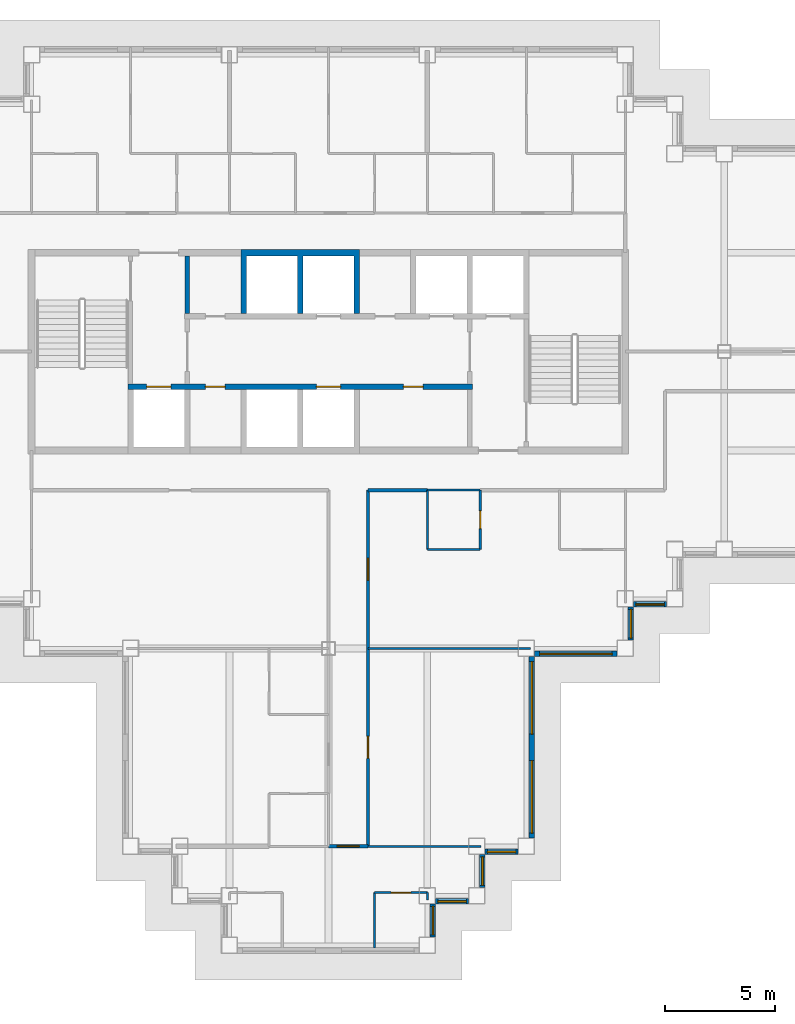
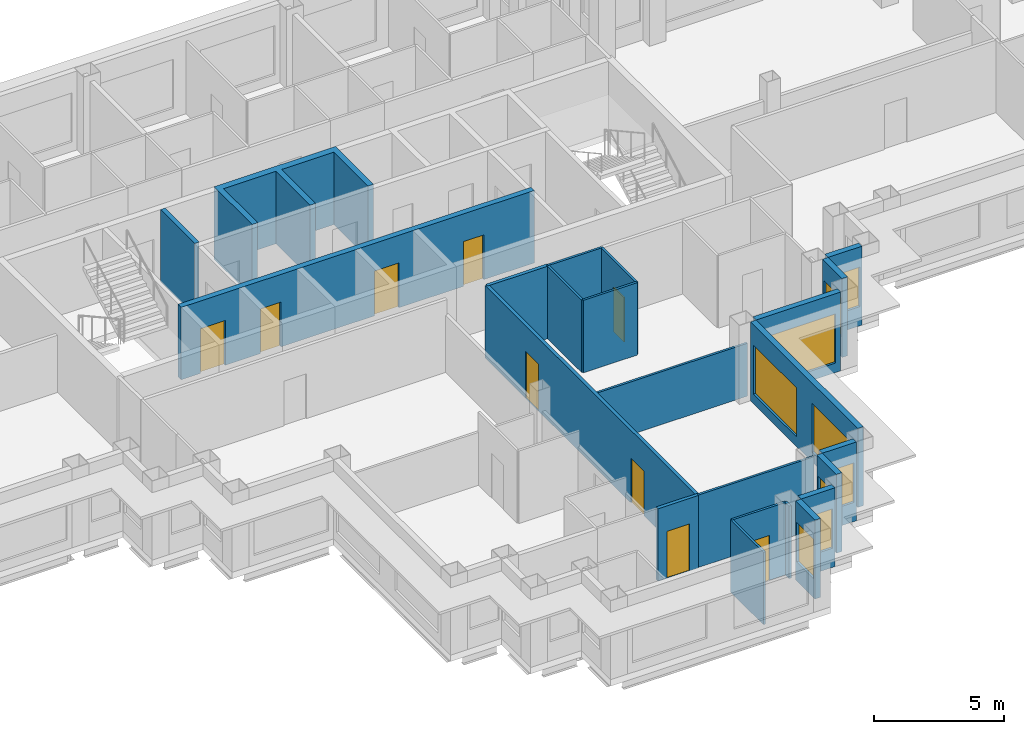
# One storey, part 5 of 13: 23 walls, 9 doors, 9 windows, 18 openings.
"""IFC4 building model written with IfcOpenShell, lengths in metres."""

from ifc_helpers import new_model, si_unit, direction, frame, frame_2d, origin, place, context, subcontext, project, spatial, polyline, rectangle, outline, extrude, material, layer, layer_set, type_object, element, fill, save


model = new_model("IFC4")

# Units and contexts
model_context = context("Model", 3, precision=1e-05, world=origin(), true_north=direction((0.0, 1.0)))
body_context = subcontext(model_context, "Body", "Model", "MODEL_VIEW")
ifc_project = project(units=[si_unit("LENGTHUNIT", "METRE"), si_unit("AREAUNIT", "SQUARE_METRE"), si_unit("VOLUMEUNIT", "CUBIC_METRE"), si_unit("PLANEANGLEUNIT", "RADIAN"), si_unit("MASSUNIT", "GRAM", prefix="KILO")], contexts=[model_context])

# Site, building, storey
site_placement = place(None, origin())
site = spatial("IfcSite", under=ifc_project, at=site_placement, CompositionType="ELEMENT")
building_placement = place(site_placement, origin())
building = spatial("IfcBuilding", under=site, at=building_placement, Name="Caravel Reach Hotel and Residences", CompositionType="ELEMENT")
storey_placement = place(building_placement, frame((0.0, 0.0, 169.10009765625)))
storey = spatial("IfcBuildingStorey", under=building, at=storey_placement, Name="L42", CompositionType="ELEMENT", Elevation=169.10009765625)

# Walls
ifc_material_1 = material(Name="Gypsum board on steel stud", Category="steel")
ifc_layer_1 = layer(ifc_material_1, 0.10009765625)
ifc_layer_set_1 = layer_set([ifc_layer_1], Name="Bathroom pod wall 100 mm")
wall_type_1 = type_object("IfcWallType", Name="Bathroom pod wall 100 mm", PredefinedType="PARTITIONING", material=ifc_layer_set_1)
for number, where, z_axis, x_axis, name in (
    (1, (36.0, 18.0, 0.0), (0.0, 0.0, 1.0), (1.0, 0.0, 0.0), "L42 wall w078"),
    (2, (36.0, 20.699951171875, 0.0), (0.0, 0.0, 1.0), (1.0, 0.0, 0.0), "L42 wall w080"),
):
    element("IfcWall", number, at=place(storey_placement, frame(where, z_axis=z_axis, x_axis=x_axis)), inside=storey, type_object=wall_type_1, Name=name, PredefinedType="PARTITIONING", context=body_context, shape_type="SweptSolid", body=[
        extrude(rectangle(XDim=2.39990234375, YDim=0.10009765625, at=frame_2d((1.199951171875, 0.0))), origin(), (0.0, 0.0, 1.0), 3.39990234375),
    ])
wall_1_placement = place(storey_placement, frame((36.0, 18.0, 0.0), z_axis=(0.0, 0.0, 1.0), x_axis=(0.0, 1.0, 0.0)))
element("IfcWall", 3, at=wall_1_placement, inside=storey, type_object=wall_type_1, Name="L42 wall w100", PredefinedType="PARTITIONING", context=body_context, shape_type="SweptSolid", body=[
    extrude(rectangle(XDim=2.698974609375, YDim=0.10009765625, at=frame_2d((1.349609375, 0.0))), origin(), (0.0, 0.0, 1.0), 3.39990234375),
])

# Wall, opening, door
wall_2_placement = place(storey_placement, frame((38.39990234375, 18.0, 0.0), z_axis=(0.0, 0.0, 1.0), x_axis=(0.0, 1.0, 0.0)))
wall_2 = element("IfcWall", 4, at=wall_2_placement, inside=storey, type_object=wall_type_1, Name="L42 wall w101", PredefinedType="PARTITIONING", context=body_context, shape_type="SweptSolid", body=[
    extrude(rectangle(XDim=2.699951171875, YDim=0.10009765625, at=frame_2d((1.35009765625, 0.0))), origin(), (0.0, 0.0, 1.0), 3.39990234375),
])
opening_1_placement = place(wall_2_placement, frame((0.949951171875, 0.0, 0.0)))
opening_1 = element("IfcOpeningElement", 5, at=opening_1_placement, cuts=wall_2, Name="Opening D42-034", PredefinedType="OPENING", context=body_context, shape_type="SweptSolid", body=[
    extrude(rectangle(XDim=0.800048828125, YDim=2.10009765625, at=frame_2d((0.39990234375, 1.050048828125))), frame((0.0, 0.06005859375, 0.0), z_axis=(0.0, -1.0, 0.0), x_axis=(1.0, 0.0, 0.0)), (0.0, 0.0, 1.0), 0.1201171875),
])
ifc_material_2 = material(Name="Timber and steel door leaf", Category="steel")
door_type_1 = type_object("IfcDoorType", Name="Bathroom door 800 x 2100", OperationType="SINGLE_SWING_LEFT", PredefinedType="DOOR", material=ifc_material_2)
door_1_placement = place(opening_1_placement, origin())
door_1 = element("IfcDoor", 6, at=door_1_placement, inside=storey, type_object=door_type_1, Name="door D42-034", OperationType="SINGLE_SWING_RIGHT", OverallHeight=2.10009765625, OverallWidth=0.800048828125, PredefinedType="DOOR", context=body_context, shape_type="SweptSolid", body=[
    extrude(rectangle(XDim=0.800048828125, YDim=2.10009765625, at=frame_2d((0.39990234375, 1.050048828125))), frame((0.0, 0.02490234375, 0.0), z_axis=(0.0, -1.0, 0.0), x_axis=(1.0, 0.0, 0.0)), (0.0, 0.0, 1.0), 0.050048828125),
])
fill(opening_1, door_1)

# Walls
ifc_material_3 = material(Name="Autoclaved aerated block wall")
ifc_layer_2 = layer(ifc_material_3, 0.199951171875)
ifc_layer_set_2 = layer_set([ifc_layer_2], Name="Compartment wall 200 mm EI 120")
wall_type_2 = type_object("IfcWallType", Name="Compartment wall 200 mm EI 120", PredefinedType="PARTITIONING", material=ifc_layer_set_2)
wall_3_placement = place(storey_placement, frame((25.071533203125, 28.72509765625, 0.0), z_axis=(0.0, 0.0, 1.0), x_axis=(0.0, 1.0, 0.0)))
element("IfcWall", 7, at=wall_3_placement, inside=storey, type_object=wall_type_2, Name="L42 store partition", PredefinedType="PARTITIONING", context=body_context, shape_type="SweptSolid", body=[
    extrude(rectangle(XDim=2.625, YDim=0.199951171875, at=frame_2d((1.3125, 0.0))), origin(), (0.0, 0.0, 1.0), 3.39990234375),
])
ifc_material_4 = material(Name="Gypsum board on steel stud, fire-rated", Category="steel")
ifc_layer_3 = layer(ifc_material_4, 0.14990234375)
ifc_layer_set_3 = layer_set([ifc_layer_3], Name="Corridor wall 150 mm EI 60")
wall_type_3 = type_object("IfcWallType", Name="Corridor wall 150 mm EI 60", PredefinedType="PARTITIONING", material=ifc_layer_set_3)
wall_4_placement = place(storey_placement, frame((33.301025390625, 20.699951171875, 0.0), z_axis=(0.0, 0.0, 1.0), x_axis=(1.0, 0.0, 0.0)))
element("IfcWall", 8, at=wall_4_placement, inside=storey, type_object=wall_type_3, Name="L42 wall w002", PredefinedType="PARTITIONING", context=body_context, shape_type="SweptSolid", body=[
    extrude(rectangle(XDim=2.697998046875, YDim=0.14990234375, at=frame_2d((1.34912109375, 0.0))), origin(), (0.0, 0.0, 1.0), 3.39990234375),
])

# Wall, opening, door
wall_5_placement = place(storey_placement, frame((31.5, 4.5, 0.0), z_axis=(0.0, 0.0, 1.0), x_axis=(1.0, 0.0, 0.0)))
wall_5 = element("IfcWall", 9, at=wall_5_placement, inside=storey, type_object=wall_type_3, Name="L42 wall w019", PredefinedType="PARTITIONING", context=body_context, shape_type="SweptSolid", body=[
    extrude(rectangle(XDim=1.800048828125, YDim=0.14990234375, at=frame_2d((0.89990234375, 0.0))), origin(), (0.0, 0.0, 1.0), 3.39990234375),
])
opening_2_placement = place(wall_5_placement, frame((0.39990234375, 0.0, 0.0)))
opening_2 = element("IfcOpeningElement", 10, at=opening_2_placement, cuts=wall_5, Name="Opening D42-046", PredefinedType="OPENING", context=body_context, shape_type="SweptSolid", body=[
    extrude(rectangle(XDim=1.0, YDim=2.199951171875, at=frame_2d((0.5, 1.10009765625))), frame((0.0, 0.0849609375, 0.0), z_axis=(0.0, -1.0, 0.0), x_axis=(1.0, 0.0, 0.0)), (0.0, 0.0, 1.0), 0.169921875),
])
ifc_material_5 = material(Name="Steel fire door leaf", Category="steel")
door_type_2 = type_object("IfcDoorType", Name="Flat entrance door 1000 x 2200 EI 60", OperationType="SINGLE_SWING_LEFT", PredefinedType="DOOR", material=ifc_material_5)
door_2_placement = place(opening_2_placement, origin())
door_2 = element("IfcDoor", 11, at=door_2_placement, inside=storey, type_object=door_type_2, Name="door D42-046", OperationType="SINGLE_SWING_RIGHT", OverallHeight=2.199951171875, OverallWidth=1.0, PredefinedType="DOOR", context=body_context, shape_type="SweptSolid", body=[
    extrude(rectangle(XDim=1.0, YDim=2.199951171875, at=frame_2d((0.5, 1.10009765625))), frame((0.0, 0.02490234375, 0.0), z_axis=(0.0, -1.0, 0.0), x_axis=(1.0, 0.0, 0.0)), (0.0, 0.0, 1.0), 0.050048828125),
])
fill(opening_2, door_2)

# Wall, openings, doors
wall_6_placement = place(storey_placement, frame((33.300048828125, 4.5, 0.0), z_axis=(0.0, 0.0, 1.0), x_axis=(0.0, 1.0, 0.0)))
wall_6 = element("IfcWall", 12, at=wall_6_placement, inside=storey, type_object=wall_type_3, Name="L42 wall w025", PredefinedType="PARTITIONING", context=body_context, shape_type="SweptSolid", body=[
    extrude(rectangle(XDim=16.198974609375, YDim=0.14990234375, at=frame_2d((8.099609375, 0.0))), origin(), (0.0, 0.0, 1.0), 3.39990234375),
])
opening_3_placement = place(wall_6_placement, frame((12.09912109375, 0.0, 0.0)))
opening_3 = element("IfcOpeningElement", 13, at=opening_3_placement, cuts=wall_6, Name="Opening D42-033", PredefinedType="OPENING", context=body_context, shape_type="SweptSolid", body=[
    extrude(rectangle(XDim=1.0, YDim=2.199951171875, at=frame_2d((0.5, 1.10009765625))), frame((0.0, 0.0849609375, 0.0), z_axis=(0.0, -1.0, 0.0), x_axis=(1.0, 0.0, 0.0)), (0.0, 0.0, 1.0), 0.169921875),
])
opening_4_placement = place(wall_6_placement, frame((4.0, 0.0, 0.0)))
opening_4 = element("IfcOpeningElement", 14, at=opening_4_placement, cuts=wall_6, Name="Opening D42-039", PredefinedType="OPENING", context=body_context, shape_type="SweptSolid", body=[
    extrude(rectangle(XDim=1.0, YDim=2.10009765625, at=frame_2d((0.5, 1.050048828125))), frame((0.0, 0.0849609375, 0.0), z_axis=(0.0, -1.0, 0.0), x_axis=(1.0, 0.0, 0.0)), (0.0, 0.0, 1.0), 0.169921875),
])
ifc_material_6 = material(Name="Steel fire door leaf", Category="steel")
door_type_3 = type_object("IfcDoorType", Name="Fire door 1000 x 2100 EI 60", OperationType="SINGLE_SWING_LEFT", PredefinedType="DOOR", material=ifc_material_6)
door_3_placement = place(opening_4_placement, origin())
door_3 = element("IfcDoor", 15, at=door_3_placement, inside=storey, type_object=door_type_3, Name="door D42-039", OperationType="SINGLE_SWING_RIGHT", OverallHeight=2.10009765625, OverallWidth=1.0, PredefinedType="DOOR", context=body_context, shape_type="SweptSolid", body=[
    extrude(rectangle(XDim=1.0, YDim=2.10009765625, at=frame_2d((0.5, 1.050048828125))), frame((0.0, 0.02490234375, 0.0), z_axis=(0.0, -1.0, 0.0), x_axis=(1.0, 0.0, 0.0)), (0.0, 0.0, 1.0), 0.050048828125),
])
fill(opening_4, door_3)
door_4_placement = place(opening_3_placement, origin())
door_4 = element("IfcDoor", 16, at=door_4_placement, inside=storey, type_object=door_type_2, Name="door D42-033", OperationType="SINGLE_SWING_LEFT", OverallHeight=2.199951171875, OverallWidth=1.0, PredefinedType="DOOR", context=body_context, shape_type="SweptSolid", body=[
    extrude(rectangle(XDim=1.0, YDim=2.199951171875, at=frame_2d((0.5, 1.10009765625))), frame((0.0, 0.02490234375, 0.0), z_axis=(0.0, -1.0, 0.0), x_axis=(1.0, 0.0, 0.0)), (0.0, 0.0, 1.0), 0.050048828125),
])
fill(opening_3, door_4)

# Wall, opening, window
ifc_material_7 = material(Name="Insulated rainscreen wall, aluminium cladding", Category="aluminium")
ifc_layer_4 = layer(ifc_material_7, 0.25)
ifc_layer_set_4 = layer_set([ifc_layer_4], Name="EW1 Tower rainscreen wall")
wall_type_4 = type_object("IfcWallType", Name="EW1 Tower rainscreen wall", PredefinedType="SOLIDWALL", material=ifc_layer_set_4)
wall_7_placement = place(storey_placement, frame((36.25, 0.375, 0.0), z_axis=(0.0, 0.0, 1.0), x_axis=(0.0, 1.0, 0.0)))
wall_7 = element("IfcWall", 17, at=wall_7_placement, inside=storey, type_object=wall_type_4, Name="External wall L42 E6.1", PredefinedType="SOLIDWALL", context=body_context, shape_type="SweptSolid", body=[
    extrude(rectangle(XDim=1.5, YDim=0.25, at=frame_2d((0.75, 0.0))), origin(), (0.0, 0.0, 1.0), 3.699951171875),
])
opening_5_placement = place(wall_7_placement, frame((0.10009765625, 0.0, 0.89990234375)))
opening_5 = element("IfcOpeningElement", 18, at=opening_5_placement, cuts=wall_7, Name="Opening WN16", PredefinedType="OPENING", context=body_context, shape_type="SweptSolid", body=[
    extrude(rectangle(XDim=1.300048828125, YDim=1.85009765625, at=frame_2d((0.64990234375, 0.925048828125))), frame((0.0, 0.135009765625, 0.0), z_axis=(0.0, -1.0, 0.0), x_axis=(1.0, 0.0, 0.0)), (0.0, 0.0, 1.0), 0.27001953125),
])
ifc_material_8 = material(Name="Dark low-e glazing in black aluminium frame", Category="aluminium")
window_type_1 = type_object("IfcWindowType", Name="Residence bedroom window 1300 x 1850", PartitioningType="SINGLE_PANEL", PredefinedType="WINDOW", material=ifc_material_8)
window_1_placement = place(opening_5_placement, origin())
window_1 = element("IfcWindow", 19, at=window_1_placement, inside=storey, type_object=window_type_1, Name="Window L42 E6.1.1", OverallHeight=1.85009765625, OverallWidth=1.300048828125, PartitioningType="SINGLE_PANEL", PredefinedType="WINDOW", context=body_context, shape_type="SweptSolid", body=[
    extrude(rectangle(XDim=1.300048828125, YDim=1.85009765625, at=frame_2d((0.64990234375, 0.925048828125))), frame((0.0, 0.030029296875, 0.0), z_axis=(0.0, -1.0, 0.0), x_axis=(1.0, 0.0, 0.0)), (0.0, 0.0, 1.0), 0.06005859375),
])
fill(opening_5, window_1)

wall_8_placement = place(storey_placement, frame((36.375, 2.0, 0.0), z_axis=(0.0, 0.0, 1.0), x_axis=(1.0, 0.0, 0.0)))
wall_8 = element("IfcWall", 20, at=wall_8_placement, inside=storey, type_object=wall_type_4, Name="External wall L42 S7.1", PredefinedType="SOLIDWALL", context=body_context, shape_type="SweptSolid", body=[
    extrude(rectangle(XDim=1.5, YDim=0.25, at=frame_2d((0.75, 0.0))), origin(), (0.0, 0.0, 1.0), 3.699951171875),
])
opening_6_placement = place(wall_8_placement, frame((0.10009765625, 0.0, 0.89990234375)))
opening_6 = element("IfcOpeningElement", 21, at=opening_6_placement, cuts=wall_8, Name="Opening WN16", PredefinedType="OPENING", context=body_context, shape_type="SweptSolid", body=[
    extrude(rectangle(XDim=1.300048828125, YDim=1.85009765625, at=frame_2d((0.64990234375, 0.925048828125))), frame((0.0, 0.135009765625, 0.0), z_axis=(0.0, -1.0, 0.0), x_axis=(1.0, 0.0, 0.0)), (0.0, 0.0, 1.0), 0.27001953125),
])
window_2_placement = place(opening_6_placement, origin())
window_2 = element("IfcWindow", 22, at=window_2_placement, inside=storey, type_object=window_type_1, Name="Window L42 S7.1.1", OverallHeight=1.85009765625, OverallWidth=1.300048828125, PartitioningType="SINGLE_PANEL", PredefinedType="WINDOW", context=body_context, shape_type="SweptSolid", body=[
    extrude(rectangle(XDim=1.300048828125, YDim=1.85009765625, at=frame_2d((0.64990234375, 0.925048828125))), frame((0.0, 0.030029296875, 0.0), z_axis=(0.0, -1.0, 0.0), x_axis=(1.0, 0.0, 0.0)), (0.0, 0.0, 1.0), 0.06005859375),
])
fill(opening_6, window_2)

wall_9_placement = place(storey_placement, frame((38.5, 2.625, 0.0), z_axis=(0.0, 0.0, 1.0), x_axis=(0.0, 1.0, 0.0)))
wall_9 = element("IfcWall", 23, at=wall_9_placement, inside=storey, type_object=wall_type_4, Name="External wall L42 E8.1", PredefinedType="SOLIDWALL", context=body_context, shape_type="SweptSolid", body=[
    extrude(rectangle(XDim=1.5, YDim=0.25, at=frame_2d((0.75, 0.0))), origin(), (0.0, 0.0, 1.0), 3.699951171875),
])
opening_7_placement = place(wall_9_placement, frame((0.10009765625, 0.0, 0.89990234375)))
opening_7 = element("IfcOpeningElement", 24, at=opening_7_placement, cuts=wall_9, Name="Opening WN16", PredefinedType="OPENING", context=body_context, shape_type="SweptSolid", body=[
    extrude(rectangle(XDim=1.300048828125, YDim=1.85009765625, at=frame_2d((0.64990234375, 0.925048828125))), frame((0.0, 0.135009765625, 0.0), z_axis=(0.0, -1.0, 0.0), x_axis=(1.0, 0.0, 0.0)), (0.0, 0.0, 1.0), 0.27001953125),
])
window_3_placement = place(opening_7_placement, origin())
window_3 = element("IfcWindow", 25, at=window_3_placement, inside=storey, type_object=window_type_1, Name="Window L42 E8.1.1", OverallHeight=1.85009765625, OverallWidth=1.300048828125, PartitioningType="SINGLE_PANEL", PredefinedType="WINDOW", context=body_context, shape_type="SweptSolid", body=[
    extrude(rectangle(XDim=1.300048828125, YDim=1.85009765625, at=frame_2d((0.64990234375, 0.925048828125))), frame((0.0, 0.030029296875, 0.0), z_axis=(0.0, -1.0, 0.0), x_axis=(1.0, 0.0, 0.0)), (0.0, 0.0, 1.0), 0.06005859375),
])
fill(opening_7, window_3)

wall_10_placement = place(storey_placement, frame((38.625, 4.25, 0.0), z_axis=(0.0, 0.0, 1.0), x_axis=(1.0, 0.0, 0.0)))
wall_10 = element("IfcWall", 26, at=wall_10_placement, inside=storey, type_object=wall_type_4, Name="External wall L42 S9.1", PredefinedType="SOLIDWALL", context=body_context, shape_type="SweptSolid", body=[
    extrude(rectangle(XDim=1.5, YDim=0.25, at=frame_2d((0.75, 0.0))), origin(), (0.0, 0.0, 1.0), 3.699951171875),
])
opening_8_placement = place(wall_10_placement, frame((0.10009765625, 0.0, 0.89990234375)))
opening_8 = element("IfcOpeningElement", 27, at=opening_8_placement, cuts=wall_10, Name="Opening WN16", PredefinedType="OPENING", context=body_context, shape_type="SweptSolid", body=[
    extrude(rectangle(XDim=1.300048828125, YDim=1.85009765625, at=frame_2d((0.64990234375, 0.925048828125))), frame((0.0, 0.135009765625, 0.0), z_axis=(0.0, -1.0, 0.0), x_axis=(1.0, 0.0, 0.0)), (0.0, 0.0, 1.0), 0.27001953125),
])
window_4_placement = place(opening_8_placement, origin())
window_4 = element("IfcWindow", 28, at=window_4_placement, inside=storey, type_object=window_type_1, Name="Window L42 S9.1.1", OverallHeight=1.85009765625, OverallWidth=1.300048828125, PartitioningType="SINGLE_PANEL", PredefinedType="WINDOW", context=body_context, shape_type="SweptSolid", body=[
    extrude(rectangle(XDim=1.300048828125, YDim=1.85009765625, at=frame_2d((0.64990234375, 0.925048828125))), frame((0.0, 0.030029296875, 0.0), z_axis=(0.0, -1.0, 0.0), x_axis=(1.0, 0.0, 0.0)), (0.0, 0.0, 1.0), 0.06005859375),
])
fill(opening_8, window_4)

# Wall, openings, windows
wall_11_placement = place(storey_placement, frame((40.75, 4.875, 0.0), z_axis=(0.0, 0.0, 1.0), x_axis=(0.0, 1.0, 0.0)))
wall_11 = element("IfcWall", 29, at=wall_11_placement, inside=storey, type_object=wall_type_4, Name="External wall L42 E10.1", PredefinedType="SOLIDWALL", context=body_context, shape_type="SweptSolid", body=[
    extrude(rectangle(XDim=8.25, YDim=0.25, at=frame_2d((4.125, 0.0))), origin(), (0.0, 0.0, 1.0), 3.699951171875),
])
opening_9_placement = place(wall_11_placement, frame((0.22509765625, 0.0, 0.449951171875)))
opening_9 = element("IfcOpeningElement", 30, at=opening_9_placement, cuts=wall_11, Name="Opening WN15", PredefinedType="OPENING", context=body_context, shape_type="SweptSolid", body=[
    extrude(rectangle(XDim=3.300048828125, YDim=2.300048828125, at=frame_2d((1.64990234375, 1.14990234375))), frame((0.0, 0.135009765625, 0.0), z_axis=(0.0, -1.0, 0.0), x_axis=(1.0, 0.0, 0.0)), (0.0, 0.0, 1.0), 0.27001953125),
])
opening_10_placement = place(wall_11_placement, frame((4.72509765625, 0.0, 0.449951171875)))
opening_10 = element("IfcOpeningElement", 31, at=opening_10_placement, cuts=wall_11, Name="Opening WN15", PredefinedType="OPENING", context=body_context, shape_type="SweptSolid", body=[
    extrude(rectangle(XDim=3.300048828125, YDim=2.300048828125, at=frame_2d((1.64990234375, 1.14990234375))), frame((0.0, 0.135009765625, 0.0), z_axis=(0.0, -1.0, 0.0), x_axis=(1.0, 0.0, 0.0)), (0.0, 0.0, 1.0), 0.27001953125),
])
ifc_material_9 = material(Name="Dark low-e glazing in black aluminium frame", Category="aluminium")
window_type_2 = type_object("IfcWindowType", Name="Residence living window 3300 x 2300", PartitioningType="SINGLE_PANEL", PredefinedType="WINDOW", material=ifc_material_9)
window_5_placement = place(opening_9_placement, origin())
window_5 = element("IfcWindow", 32, at=window_5_placement, inside=storey, type_object=window_type_2, Name="Window L42 E10.1.1", OverallHeight=2.300048828125, OverallWidth=3.300048828125, PartitioningType="SINGLE_PANEL", PredefinedType="WINDOW", context=body_context, shape_type="SweptSolid", body=[
    extrude(rectangle(XDim=3.300048828125, YDim=2.300048828125, at=frame_2d((1.64990234375, 1.14990234375))), frame((0.0, 0.030029296875, 0.0), z_axis=(0.0, -1.0, 0.0), x_axis=(1.0, 0.0, 0.0)), (0.0, 0.0, 1.0), 0.06005859375),
])
fill(opening_9, window_5)
window_6_placement = place(opening_10_placement, origin())
window_6 = element("IfcWindow", 33, at=window_6_placement, inside=storey, type_object=window_type_2, Name="Window L42 E10.1.2", OverallHeight=2.300048828125, OverallWidth=3.300048828125, PartitioningType="SINGLE_PANEL", PredefinedType="WINDOW", context=body_context, shape_type="SweptSolid", body=[
    extrude(rectangle(XDim=3.300048828125, YDim=2.300048828125, at=frame_2d((1.64990234375, 1.14990234375))), frame((0.0, 0.030029296875, 0.0), z_axis=(0.0, -1.0, 0.0), x_axis=(1.0, 0.0, 0.0)), (0.0, 0.0, 1.0), 0.06005859375),
])
fill(opening_10, window_6)

# Wall, opening, window
wall_12_placement = place(storey_placement, frame((40.875, 13.25, 0.0), z_axis=(0.0, 0.0, 1.0), x_axis=(1.0, 0.0, 0.0)))
wall_12 = element("IfcWall", 34, at=wall_12_placement, inside=storey, type_object=wall_type_4, Name="External wall L42 S11.1", PredefinedType="SOLIDWALL", context=body_context, shape_type="SweptSolid", body=[
    extrude(rectangle(XDim=3.75, YDim=0.25, at=frame_2d((1.875, 0.0))), origin(), (0.0, 0.0, 1.0), 3.699951171875),
])
opening_11_placement = place(wall_12_placement, frame((0.22509765625, 0.0, 0.449951171875)))
opening_11 = element("IfcOpeningElement", 35, at=opening_11_placement, cuts=wall_12, Name="Opening WN15", PredefinedType="OPENING", context=body_context, shape_type="SweptSolid", body=[
    extrude(rectangle(XDim=3.300048828125, YDim=2.300048828125, at=frame_2d((1.64990234375, 1.14990234375))), frame((0.0, 0.135009765625, 0.0), z_axis=(0.0, -1.0, 0.0), x_axis=(1.0, 0.0, 0.0)), (0.0, 0.0, 1.0), 0.27001953125),
])
window_7_placement = place(opening_11_placement, origin())
window_7 = element("IfcWindow", 36, at=window_7_placement, inside=storey, type_object=window_type_2, Name="Window L42 S11.1.1", OverallHeight=2.300048828125, OverallWidth=3.300048828125, PartitioningType="SINGLE_PANEL", PredefinedType="WINDOW", context=body_context, shape_type="SweptSolid", body=[
    extrude(rectangle(XDim=3.300048828125, YDim=2.300048828125, at=frame_2d((1.64990234375, 1.14990234375))), frame((0.0, 0.030029296875, 0.0), z_axis=(0.0, -1.0, 0.0), x_axis=(1.0, 0.0, 0.0)), (0.0, 0.0, 1.0), 0.06005859375),
])
fill(opening_11, window_7)

wall_13_placement = place(storey_placement, frame((45.25, 13.875, 0.0), z_axis=(0.0, 0.0, 1.0), x_axis=(0.0, 1.0, 0.0)))
wall_13 = element("IfcWall", 37, at=wall_13_placement, inside=storey, type_object=wall_type_4, Name="External wall L42 E12.1", PredefinedType="SOLIDWALL", context=body_context, shape_type="SweptSolid", body=[
    extrude(rectangle(XDim=1.5, YDim=0.25, at=frame_2d((0.75, 0.0))), origin(), (0.0, 0.0, 1.0), 3.699951171875),
])
opening_12_placement = place(wall_13_placement, frame((0.10009765625, 0.0, 0.89990234375)))
opening_12 = element("IfcOpeningElement", 38, at=opening_12_placement, cuts=wall_13, Name="Opening WN16", PredefinedType="OPENING", context=body_context, shape_type="SweptSolid", body=[
    extrude(rectangle(XDim=1.300048828125, YDim=1.85009765625, at=frame_2d((0.64990234375, 0.925048828125))), frame((0.0, 0.135009765625, 0.0), z_axis=(0.0, -1.0, 0.0), x_axis=(1.0, 0.0, 0.0)), (0.0, 0.0, 1.0), 0.27001953125),
])
window_8_placement = place(opening_12_placement, origin())
window_8 = element("IfcWindow", 39, at=window_8_placement, inside=storey, type_object=window_type_1, Name="Window L42 E12.1.1", OverallHeight=1.85009765625, OverallWidth=1.300048828125, PartitioningType="SINGLE_PANEL", PredefinedType="WINDOW", context=body_context, shape_type="SweptSolid", body=[
    extrude(rectangle(XDim=1.300048828125, YDim=1.85009765625, at=frame_2d((0.64990234375, 0.925048828125))), frame((0.0, 0.030029296875, 0.0), z_axis=(0.0, -1.0, 0.0), x_axis=(1.0, 0.0, 0.0)), (0.0, 0.0, 1.0), 0.06005859375),
])
fill(opening_12, window_8)

wall_14_placement = place(storey_placement, frame((45.375, 15.5, 0.0), z_axis=(0.0, 0.0, 1.0), x_axis=(1.0, 0.0, 0.0)))
wall_14 = element("IfcWall", 40, at=wall_14_placement, inside=storey, type_object=wall_type_4, Name="External wall L42 S13.1", PredefinedType="SOLIDWALL", context=body_context, shape_type="SweptSolid", body=[
    extrude(rectangle(XDim=1.5, YDim=0.25, at=frame_2d((0.75, 0.0))), origin(), (0.0, 0.0, 1.0), 3.699951171875),
])
opening_13_placement = place(wall_14_placement, frame((0.10009765625, 0.0, 0.89990234375)))
opening_13 = element("IfcOpeningElement", 41, at=opening_13_placement, cuts=wall_14, Name="Opening WN16", PredefinedType="OPENING", context=body_context, shape_type="SweptSolid", body=[
    extrude(rectangle(XDim=1.300048828125, YDim=1.85009765625, at=frame_2d((0.64990234375, 0.925048828125))), frame((0.0, 0.135009765625, 0.0), z_axis=(0.0, -1.0, 0.0), x_axis=(1.0, 0.0, 0.0)), (0.0, 0.0, 1.0), 0.27001953125),
])
window_9_placement = place(opening_13_placement, origin())
window_9 = element("IfcWindow", 42, at=window_9_placement, inside=storey, type_object=window_type_1, Name="Window L42 S13.1.1", OverallHeight=1.85009765625, OverallWidth=1.300048828125, PartitioningType="SINGLE_PANEL", PredefinedType="WINDOW", context=body_context, shape_type="SweptSolid", body=[
    extrude(rectangle(XDim=1.300048828125, YDim=1.85009765625, at=frame_2d((0.64990234375, 0.925048828125))), frame((0.0, 0.030029296875, 0.0), z_axis=(0.0, -1.0, 0.0), x_axis=(1.0, 0.0, 0.0)), (0.0, 0.0, 1.0), 0.06005859375),
])
fill(opening_13, window_9)

# Wall
ifc_material_10 = material(Name="Gypsum board on steel stud", Category="steel")
ifc_layer_5 = layer(ifc_material_10, 0.10009765625)
ifc_layer_set_5 = layer_set([ifc_layer_5], Name="Partition 100 mm")
wall_type_5 = type_object("IfcWallType", Name="Partition 100 mm", PredefinedType="PARTITIONING", material=ifc_layer_set_5)
wall_15_placement = place(storey_placement, frame((33.301025390625, 13.5, 0.0), z_axis=(0.0, 0.0, 1.0), x_axis=(1.0, 0.0, 0.0)))
element("IfcWall", 43, at=wall_15_placement, inside=storey, type_object=wall_type_5, Name="L42 wall w032", PredefinedType="PARTITIONING", context=body_context, shape_type="SweptSolid", body=[
    extrude(rectangle(XDim=7.388916015625, YDim=0.10009765625, at=frame_2d((3.6943359375, 0.0))), origin(), (0.0, 0.0, 1.0), 2.47998046875),
])

# Wall, opening, door
wall_16_placement = place(storey_placement, frame((33.60009765625, 2.39990234375, 0.0), z_axis=(0.0, 0.0, 1.0), x_axis=(1.0, 0.0, 0.0)))
wall_16 = element("IfcWall", 44, at=wall_16_placement, inside=storey, type_object=wall_type_5, Name="L42 wall w037", PredefinedType="PARTITIONING", context=body_context, shape_type="SweptSolid", body=[
    extrude(rectangle(XDim=2.39990234375, YDim=0.10009765625, at=frame_2d((1.199951171875, 0.0))), origin(), (0.0, 0.0, 1.0), 3.39990234375),
])
opening_14_placement = place(wall_16_placement, frame((0.75, 0.0, 0.0)))
opening_14 = element("IfcOpeningElement", 45, at=opening_14_placement, cuts=wall_16, Name="Opening D42-048", PredefinedType="OPENING", context=body_context, shape_type="SweptSolid", body=[
    extrude(rectangle(XDim=0.89990234375, YDim=2.10009765625, at=frame_2d((0.449951171875, 1.050048828125))), frame((0.0, 0.06005859375, 0.0), z_axis=(0.0, -1.0, 0.0), x_axis=(1.0, 0.0, 0.0)), (0.0, 0.0, 1.0), 0.1201171875),
])
ifc_material_11 = material(Name="Timber and steel door leaf", Category="steel")
door_type_4 = type_object("IfcDoorType", Name="Door 900 x 2100 timber", OperationType="SINGLE_SWING_LEFT", PredefinedType="DOOR", material=ifc_material_11)
door_5_placement = place(opening_14_placement, origin())
door_5 = element("IfcDoor", 46, at=door_5_placement, inside=storey, type_object=door_type_4, Name="door D42-048", OperationType="SINGLE_SWING_RIGHT", OverallHeight=2.10009765625, OverallWidth=0.89990234375, PredefinedType="DOOR", context=body_context, shape_type="SweptSolid", body=[
    extrude(rectangle(XDim=0.89990234375, YDim=2.10009765625, at=frame_2d((0.449951171875, 1.050048828125))), frame((0.0, 0.02490234375, 0.0), z_axis=(0.0, -1.0, 0.0), x_axis=(1.0, 0.0, 0.0)), (0.0, 0.0, 1.0), 0.050048828125),
])
fill(opening_14, door_5)

# Walls
wall_17_placement = place(storey_placement, frame((33.300048828125, 4.5, 0.0), z_axis=(0.0, 0.0, 1.0), x_axis=(1.0, 0.0, 0.0)))
element("IfcWall", 47, at=wall_17_placement, inside=storey, type_object=wall_type_5, Name="L42 wall w050", PredefinedType="PARTITIONING", context=body_context, shape_type="SweptSolid", body=[
    extrude(rectangle(XDim=5.139892578125, YDim=0.10009765625, at=frame_2d((2.56982421875, 0.0))), origin(), (0.0, 0.0, 1.0), 3.39990234375),
])
wall_18_placement = place(storey_placement, frame((33.60009765625, -0.125, 0.0), z_axis=(0.0, 0.0, 1.0), x_axis=(0.0, 1.0, 0.0)))
element("IfcWall", 48, at=wall_18_placement, inside=storey, type_object=wall_type_5, Name="L42 wall w061", PredefinedType="PARTITIONING", context=body_context, shape_type="SweptSolid", body=[
    extrude(rectangle(XDim=2.52490234375, YDim=0.10009765625, at=frame_2d((1.262451171875, 0.0))), origin(), (0.0, 0.0, 1.0), 3.39990234375),
])
wall_19_placement = place(storey_placement, frame((36.0, 2.06005859375, 0.0), z_axis=(0.0, 0.0, 1.0), x_axis=(0.0, 1.0, 0.0)))
element("IfcWall", 49, at=wall_19_placement, inside=storey, type_object=wall_type_5, Name="L42 wall w062", PredefinedType="PARTITIONING", context=body_context, shape_type="SweptSolid", body=[
    extrude(rectangle(XDim=0.33984375, YDim=0.10009765625, at=frame_2d((0.169921875, 0.0))), origin(), (0.0, 0.0, 1.0), 3.39990234375),
])
ifc_material_12 = material(Name="Concrete C60", Category="concrete")
ifc_layer_6 = layer(ifc_material_12, 0.25)
ifc_layer_set_6 = layer_set([ifc_layer_6], Name="Shaft wall 250 mm EI 120")
wall_type_6 = type_object("IfcWallType", Name="Shaft wall 250 mm EI 120", PredefinedType="SHEAR", material=ifc_layer_set_6)
wall_20_placement = place(storey_placement, origin())
element("IfcWall", 50, at=wall_20_placement, inside=storey, type_object=wall_type_6, Name="L42 lift shaft wall N1", PredefinedType="SHEAR", context=body_context, shape_type="SweptSolid", body=[
    extrude(outline(polyline([(27.517822265625, 28.72509765625), (27.767822265625, 28.72509765625), (27.767822265625, 31.35009765625), (30.08935546875, 31.35009765625), (30.08935546875, 28.72509765625), (30.33935546875, 28.72509765625), (30.33935546875, 31.35009765625), (32.66064453125, 31.35009765625), (32.66064453125, 28.72509765625), (32.91064453125, 28.72509765625), (32.91064453125, 31.64990234375), (27.517822265625, 31.64990234375), (27.517822265625, 28.72509765625)])), origin(), (0.0, 0.0, 1.0), 3.39990234375),
])

# Wall, openings, doors
wall_21_placement = place(storey_placement, frame((22.375, 25.39990234375, 0.0), z_axis=(0.0, 0.0, 1.0), x_axis=(1.0, 0.0, 0.0)))
wall_21 = element("IfcWall", 51, at=wall_21_placement, inside=storey, type_object=wall_type_6, Name="L42 lobby wall S1", PredefinedType="SHEAR", context=body_context, shape_type="SweptSolid", body=[
    extrude(rectangle(XDim=15.678466796875, YDim=0.25, at=frame_2d((7.83935546875, 0.0))), origin(), (0.0, 0.0, 1.0), 3.39990234375),
])
opening_15_placement = place(wall_21_placement, frame((8.574951171875, 0.0, 0.0)))
opening_15 = element("IfcOpeningElement", 52, at=opening_15_placement, cuts=wall_21, Name="Opening D42-001", PredefinedType="OPENING", context=body_context, shape_type="SweptSolid", body=[
    extrude(rectangle(XDim=1.10009765625, YDim=2.10009765625, at=frame_2d((0.550048828125, 1.050048828125))), frame((0.0, 0.135009765625, 0.0), z_axis=(0.0, -1.0, 0.0), x_axis=(1.0, 0.0, 0.0)), (0.0, 0.0, 1.0), 0.27001953125),
])
opening_16_placement = place(wall_21_placement, frame((0.860595703125, 0.0, 0.0)))
opening_16 = element("IfcOpeningElement", 53, at=opening_16_placement, cuts=wall_21, Name="Opening D42-004", PredefinedType="OPENING", context=body_context, shape_type="SweptSolid", body=[
    extrude(rectangle(XDim=1.10009765625, YDim=2.10009765625, at=frame_2d((0.550048828125, 1.050048828125))), frame((0.0, 0.135009765625, 0.0), z_axis=(0.0, -1.0, 0.0), x_axis=(1.0, 0.0, 0.0)), (0.0, 0.0, 1.0), 0.27001953125),
])
opening_17_placement = place(wall_21_placement, frame((3.531982421875, 0.0, 0.0)))
opening_17 = element("IfcOpeningElement", 54, at=opening_17_placement, cuts=wall_21, Name="Opening D42-006", PredefinedType="OPENING", context=body_context, shape_type="SweptSolid", body=[
    extrude(rectangle(XDim=0.89990234375, YDim=2.10009765625, at=frame_2d((0.449951171875, 1.050048828125))), frame((0.0, 0.135009765625, 0.0), z_axis=(0.0, -1.0, 0.0), x_axis=(1.0, 0.0, 0.0)), (0.0, 0.0, 1.0), 0.27001953125),
])
opening_18_placement = place(wall_21_placement, frame((12.531982421875, 0.0, 0.0)))
opening_18 = element("IfcOpeningElement", 55, at=opening_18_placement, cuts=wall_21, Name="Opening D42-007", PredefinedType="OPENING", context=body_context, shape_type="SweptSolid", body=[
    extrude(rectangle(XDim=0.89990234375, YDim=2.10009765625, at=frame_2d((0.449951171875, 1.050048828125))), frame((0.0, 0.135009765625, 0.0), z_axis=(0.0, -1.0, 0.0), x_axis=(1.0, 0.0, 0.0)), (0.0, 0.0, 1.0), 0.27001953125),
])
ifc_material_13 = material(Name="Stainless steel landing door", Category="steel")
door_type_5 = type_object("IfcDoorType", Name="Landing door LD 1100 x 2100 sliding", OperationType="DOUBLE_DOOR_SLIDING", PredefinedType="DOOR", material=ifc_material_13)
door_6_placement = place(opening_15_placement, origin())
door_6 = element("IfcDoor", 56, at=door_6_placement, inside=storey, type_object=door_type_5, Name="MP1 landing door", OperationType="DOUBLE_DOOR_SLIDING", OverallHeight=2.10009765625, OverallWidth=1.10009765625, PredefinedType="DOOR", context=body_context, shape_type="SweptSolid", body=[
    extrude(rectangle(XDim=1.10009765625, YDim=2.10009765625, at=frame_2d((0.550048828125, 1.050048828125))), frame((0.0, 0.02490234375, 0.0), z_axis=(0.0, -1.0, 0.0), x_axis=(1.0, 0.0, 0.0)), (0.0, 0.0, 1.0), 0.050048828125),
])
fill(opening_15, door_6)
door_7_placement = place(opening_16_placement, origin())
door_7 = element("IfcDoor", 57, at=door_7_placement, inside=storey, type_object=door_type_5, Name="FL1 landing door", OperationType="DOUBLE_DOOR_SLIDING", OverallHeight=2.10009765625, OverallWidth=1.10009765625, PredefinedType="DOOR", context=body_context, shape_type="SweptSolid", body=[
    extrude(rectangle(XDim=1.10009765625, YDim=2.10009765625, at=frame_2d((0.550048828125, 1.050048828125))), frame((0.0, 0.02490234375, 0.0), z_axis=(0.0, -1.0, 0.0), x_axis=(1.0, 0.0, 0.0)), (0.0, 0.0, 1.0), 0.050048828125),
])
fill(opening_16, door_7)
ifc_material_14 = material(Name="Steel fire door leaf", Category="steel")
door_type_6 = type_object("IfcDoorType", Name="Riser door 900 x 2100 EI 60", OperationType="SINGLE_SWING_LEFT", PredefinedType="DOOR", material=ifc_material_14)
door_8_placement = place(opening_17_placement, origin())
door_8 = element("IfcDoor", 58, at=door_8_placement, inside=storey, type_object=door_type_6, Name="Electrical riser room door", OperationType="SINGLE_SWING_LEFT", OverallHeight=2.10009765625, OverallWidth=0.89990234375, PredefinedType="DOOR", context=body_context, shape_type="SweptSolid", body=[
    extrude(rectangle(XDim=0.89990234375, YDim=2.10009765625, at=frame_2d((0.449951171875, 1.050048828125))), frame((0.0, 0.02490234375, 0.0), z_axis=(0.0, -1.0, 0.0), x_axis=(1.0, 0.0, 0.0)), (0.0, 0.0, 1.0), 0.050048828125),
])
fill(opening_17, door_8)
door_9_placement = place(opening_18_placement, origin())
door_9 = element("IfcDoor", 59, at=door_9_placement, inside=storey, type_object=door_type_6, Name="Comms room door", OperationType="SINGLE_SWING_LEFT", OverallHeight=2.10009765625, OverallWidth=0.89990234375, PredefinedType="DOOR", context=body_context, shape_type="SweptSolid", body=[
    extrude(rectangle(XDim=0.89990234375, YDim=2.10009765625, at=frame_2d((0.449951171875, 1.050048828125))), frame((0.0, 0.02490234375, 0.0), z_axis=(0.0, -1.0, 0.0), x_axis=(1.0, 0.0, 0.0)), (0.0, 0.0, 1.0), 0.050048828125),
])
fill(opening_18, door_9)

save(model, "model.ifc")
